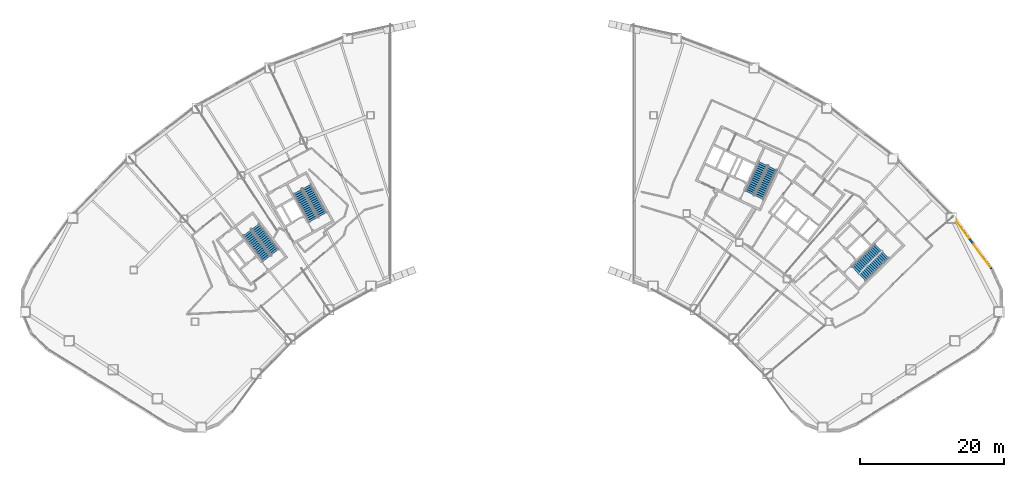
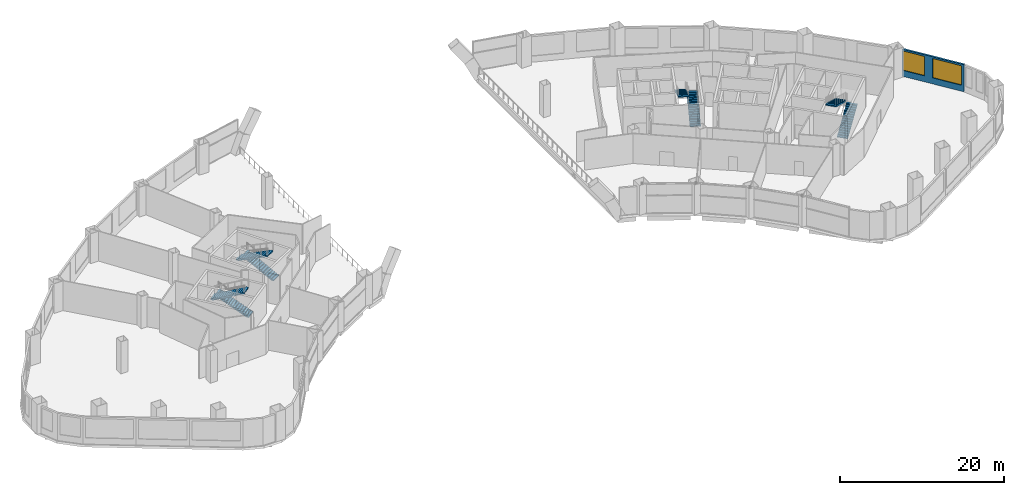
# One storey, part 18 of 20: 8 stair flights, 2 windows, 1 wall, 2 openings, 4 elements without a shape of their own.
"""IFC4 building model written with IfcOpenShell, lengths in metres."""

from ifc_helpers import new_model, si_unit, direction, frame, frame_2d, origin, place, context, subcontext, project, spatial, polyline, rectangle, outline, extrude, material, layer, layer_set, type_object, element, fill, aggregate, save


model = new_model("IFC4")

# Units and contexts
model_context = context("Model", 3, precision=1e-05, world=origin(), true_north=direction((0.0, 1.0)))
body_context = subcontext(model_context, "Body", "Model", "MODEL_VIEW")
ifc_project = project(units=[si_unit("LENGTHUNIT", "METRE"), si_unit("AREAUNIT", "SQUARE_METRE"), si_unit("VOLUMEUNIT", "CUBIC_METRE"), si_unit("PLANEANGLEUNIT", "RADIAN"), si_unit("MASSUNIT", "GRAM", prefix="KILO")], contexts=[model_context])

# Site, building, storey
site_placement = place(None, origin())
site = spatial("IfcSite", under=ifc_project, at=site_placement, CompositionType="ELEMENT")
building_placement = place(site_placement, origin())
building = spatial("IfcBuilding", under=site, at=building_placement, Name="Tuul Gate Civic Tower", CompositionType="ELEMENT")
storey_placement = place(building_placement, frame((0.0, 0.0, 12.300048828125)))
storey = spatial("IfcBuildingStorey", under=building, at=storey_placement, Name="Level 02", CompositionType="ELEMENT", Elevation=12.300048828125)

# Wall, openings, windows
ifc_material_1 = material(Name="Precast concrete C40/50", Category="concrete")
ifc_layer = layer(ifc_material_1, 0.25)
ifc_layer_set = layer_set([ifc_layer], Name="Precast concrete C40/50")
wall_type = type_object("IfcWallType", Name="External wall", PredefinedType="STANDARD", material=ifc_layer_set)
wall_placement = place(storey_placement, frame((66.53515625, -15.40771484375, 0.0), z_axis=(0.0, 0.0, 1.0), x_axis=(-0.589883240256, 0.807488552777, 0.0)))
wall = element("IfcWall", 1, at=wall_placement, inside=storey, type_object=wall_type, Name="External wall", PredefinedType="STANDARD", context=body_context, shape_type="SweptSolid", body=[
    extrude(rectangle(XDim=8.26318359375, YDim=0.25, at=frame_2d((4.131591796875, 0.0))), origin(), (0.0, 0.0, 1.0), 4.050048828125),
])
opening_1_placement = place(wall_placement, frame((0.309326171875, 0.0, 0.89990234375)))
opening_1 = element("IfcOpeningElement", 2, at=opening_1_placement, cuts=wall, Name="Opening W11", PredefinedType="OPENING", context=body_context, shape_type="SweptSolid", body=[
    extrude(rectangle(XDim=3.89990234375, YDim=2.89990234375, at=frame_2d((1.949951171875, 1.449951171875))), frame((0.0, 0.135009765625, 0.0), z_axis=(0.0, -1.0, 0.0), x_axis=(1.0, 0.0, 0.0)), (0.0, 0.0, 1.0), 0.27001953125),
])
opening_2_placement = place(wall_placement, frame((5.277099609375, 0.0, 0.89990234375)))
opening_2 = element("IfcOpeningElement", 3, at=opening_2_placement, cuts=wall, Name="Opening W83", PredefinedType="OPENING", context=body_context, shape_type="SweptSolid", body=[
    extrude(rectangle(XDim=2.89990234375, YDim=2.89990234375, at=frame_2d((1.449951171875, 1.449951171875))), frame((0.0, 0.135009765625, 0.0), z_axis=(0.0, -1.0, 0.0), x_axis=(1.0, 0.0, 0.0)), (0.0, 0.0, 1.0), 0.27001953125),
])
ifc_material_2 = material(Name="Glass", Category="glass")
window_type_1 = type_object("IfcWindowType", Name="Window W11 3900 x 2900", PartitioningType="SINGLE_PANEL", PredefinedType="WINDOW", material=ifc_material_2)
window_1_placement = place(opening_1_placement, origin())
window_1 = element("IfcWindow", 4, at=window_1_placement, inside=storey, type_object=window_type_1, Name="Window", OverallHeight=2.89990234375, OverallWidth=3.89990234375, PartitioningType="SINGLE_PANEL", PredefinedType="WINDOW", context=body_context, shape_type="SweptSolid", body=[
    extrude(rectangle(XDim=3.89990234375, YDim=2.89990234375, at=frame_2d((1.949951171875, 1.449951171875))), frame((0.0, 0.030029296875, 0.0), z_axis=(0.0, -1.0, 0.0), x_axis=(1.0, 0.0, 0.0)), (0.0, 0.0, 1.0), 0.06005859375),
])
fill(opening_1, window_1)
ifc_material_3 = material(Name="Glass", Category="glass")
window_type_2 = type_object("IfcWindowType", Name="Window W83 2900 x 2900", PartitioningType="SINGLE_PANEL", PredefinedType="WINDOW", material=ifc_material_3)
window_2_placement = place(opening_2_placement, origin())
window_2 = element("IfcWindow", 5, at=window_2_placement, inside=storey, type_object=window_type_2, Name="Window", OverallHeight=2.89990234375, OverallWidth=2.89990234375, PartitioningType="SINGLE_PANEL", PredefinedType="WINDOW", context=body_context, shape_type="SweptSolid", body=[
    extrude(rectangle(XDim=2.89990234375, YDim=2.89990234375, at=frame_2d((1.449951171875, 1.449951171875))), frame((0.0, 0.030029296875, 0.0), z_axis=(0.0, -1.0, 0.0), x_axis=(1.0, 0.0, 0.0)), (0.0, 0.0, 1.0), 0.06005859375),
])
fill(opening_2, window_2)

# Stair, stair flights
ifc_material_4 = material(Name="Concrete C40/50", Category="concrete")
stair_type = type_object("IfcStairType", Name="Exit stair", PredefinedType="HALF_TURN_STAIR", material=ifc_material_4)
stair_1_placement = place(storey_placement, origin())
stair_1 = element("IfcStair", 6, at=stair_1_placement, inside=storey, type_object=stair_type, Name="Level 02 ST-1", PredefinedType="HALF_TURN_STAIR")
ifc_material_5 = material(Name="Concrete C40/50", Category="concrete")
stair_flight_type = type_object("IfcStairFlightType", Name="Exit stair flight", PredefinedType="STRAIGHT", material=ifc_material_5)
stair_flight_1_placement = place(storey_placement, frame((-32.875244140625, -13.066650390625, 0.0), z_axis=(0.0, 0.0, 1.0), x_axis=(-0.605764474941, 0.795644016442, 0.0)))
stair_flight_1 = element("IfcStairFlight", 7, at=stair_flight_1_placement, type_object=stair_flight_type, Name="ST-1 flight 1", NumberOfRisers=16, NumberOfTreads=15, PredefinedType="STRAIGHT", RiserHeight=0.15, TreadLength=0.3, context=body_context, shape_type="SweptSolid", body=[
    extrude(outline(polyline([(0.0, 0.0), (0.0, 0.14990234375), (0.300048828125, 0.14990234375), (0.300048828125, 0.300048828125), (0.60009765625, 0.300048828125), (0.60009765625, 0.449951171875), (0.89990234375, 0.449951171875), (0.89990234375, 0.60009765625), (1.199951171875, 0.60009765625), (1.199951171875, 0.75), (1.5, 0.75), (1.5, 0.89990234375), (1.800048828125, 0.89990234375), (1.800048828125, 1.050048828125), (2.10009765625, 1.050048828125), (2.10009765625, 1.199951171875), (2.39990234375, 1.199951171875), (2.39990234375, 1.35009765625), (2.699951171875, 1.35009765625), (2.699951171875, 1.5), (3.0, 1.5), (3.0, 1.64990234375), (3.300048828125, 1.64990234375), (3.300048828125, 1.800048828125), (3.60009765625, 1.800048828125), (3.60009765625, 1.949951171875), (3.89990234375, 1.949951171875), (3.89990234375, 2.10009765625), (4.199951171875, 2.10009765625), (4.199951171875, 2.25), (4.5, 2.25), (4.5, 2.39990234375), (4.5, 2.08251953125), (0.335205078125, 0.0), (0.0, 0.0)])), frame((0.0, 0.675048828125, 0.0), z_axis=(0.0, -1.0, 0.0), x_axis=(1.0, 0.0, 0.0)), (0.0, 0.0, 1.0), 1.35009765625),
])
stair_flight_2_placement = place(storey_placement, frame((-36.7548828125, -10.36474609375, 2.39990234375), z_axis=(0.0, 0.0, 1.0), x_axis=(0.605764474941, -0.795644016442, 0.0)))
stair_flight_2 = element("IfcStairFlight", 8, at=stair_flight_2_placement, type_object=stair_flight_type, Name="ST-1 flight 2", NumberOfRisers=16, NumberOfTreads=15, PredefinedType="STRAIGHT", RiserHeight=0.15, TreadLength=0.3, context=body_context, shape_type="SweptSolid", body=[
    extrude(outline(polyline([(0.0, 0.0), (0.0, 0.14990234375), (0.300048828125, 0.14990234375), (0.300048828125, 0.300048828125), (0.60009765625, 0.300048828125), (0.60009765625, 0.449951171875), (0.89990234375, 0.449951171875), (0.89990234375, 0.60009765625), (1.199951171875, 0.60009765625), (1.199951171875, 0.75), (1.5, 0.75), (1.5, 0.89990234375), (1.800048828125, 0.89990234375), (1.800048828125, 1.050048828125), (2.10009765625, 1.050048828125), (2.10009765625, 1.199951171875), (2.39990234375, 1.199951171875), (2.39990234375, 1.35009765625), (2.699951171875, 1.35009765625), (2.699951171875, 1.5), (3.0, 1.5), (3.0, 1.64990234375), (3.300048828125, 1.64990234375), (3.300048828125, 1.800048828125), (3.60009765625, 1.800048828125), (3.60009765625, 1.949951171875), (3.89990234375, 1.949951171875), (3.89990234375, 2.10009765625), (4.199951171875, 2.10009765625), (4.199951171875, 2.25), (4.5, 2.25), (4.5, 2.39990234375), (4.5, 2.08251953125), (0.335205078125, 0.0), (0.0, 0.0)])), frame((0.0, 0.675048828125, 0.0), z_axis=(0.0, -1.0, 0.0), x_axis=(1.0, 0.0, 0.0)), (0.0, 0.0, 1.0), 1.35009765625),
])
aggregate(stair_1, [stair_flight_1, stair_flight_2])

stair_2_placement = place(storey_placement, origin())
stair_2 = element("IfcStair", 9, at=stair_2_placement, inside=storey, type_object=stair_type, Name="Level 02 ST-2", PredefinedType="HALF_TURN_STAIR")
stair_flight_3_placement = place(storey_placement, frame((-26.29150390625, -7.87646484375, 0.0), z_axis=(0.0, 0.0, 1.0), x_axis=(-0.484761763766, 0.874646232708, 0.0)))
stair_flight_3 = element("IfcStairFlight", 10, at=stair_flight_3_placement, type_object=stair_flight_type, Name="ST-2 flight 1", NumberOfRisers=16, NumberOfTreads=15, PredefinedType="STRAIGHT", RiserHeight=0.15, TreadLength=0.3, context=body_context, shape_type="SweptSolid", body=[
    extrude(outline(polyline([(0.0, 0.0), (0.0, 0.14990234375), (0.300048828125, 0.14990234375), (0.300048828125, 0.300048828125), (0.60009765625, 0.300048828125), (0.60009765625, 0.449951171875), (0.89990234375, 0.449951171875), (0.89990234375, 0.60009765625), (1.199951171875, 0.60009765625), (1.199951171875, 0.75), (1.5, 0.75), (1.5, 0.89990234375), (1.800048828125, 0.89990234375), (1.800048828125, 1.050048828125), (2.10009765625, 1.050048828125), (2.10009765625, 1.199951171875), (2.39990234375, 1.199951171875), (2.39990234375, 1.35009765625), (2.699951171875, 1.35009765625), (2.699951171875, 1.5), (3.0, 1.5), (3.0, 1.64990234375), (3.300048828125, 1.64990234375), (3.300048828125, 1.800048828125), (3.60009765625, 1.800048828125), (3.60009765625, 1.949951171875), (3.89990234375, 1.949951171875), (3.89990234375, 2.10009765625), (4.199951171875, 2.10009765625), (4.199951171875, 2.25), (4.5, 2.25), (4.5, 2.39990234375), (4.5, 2.08251953125), (0.335205078125, 0.0), (0.0, 0.0)])), frame((0.0, 0.675048828125, 0.0), z_axis=(0.0, -1.0, 0.0), x_axis=(1.0, 0.0, 0.0)), (0.0, 0.0, 1.0), 1.35009765625),
])
stair_flight_4_placement = place(storey_placement, frame((-29.7412109375, -4.6435546875, 2.39990234375), z_axis=(0.0, 0.0, 1.0), x_axis=(0.484761763766, -0.874646232708, 0.0)))
stair_flight_4 = element("IfcStairFlight", 11, at=stair_flight_4_placement, type_object=stair_flight_type, Name="ST-2 flight 2", NumberOfRisers=16, NumberOfTreads=15, PredefinedType="STRAIGHT", RiserHeight=0.15, TreadLength=0.3, context=body_context, shape_type="SweptSolid", body=[
    extrude(outline(polyline([(0.0, 0.0), (0.0, 0.14990234375), (0.300048828125, 0.14990234375), (0.300048828125, 0.300048828125), (0.60009765625, 0.300048828125), (0.60009765625, 0.449951171875), (0.89990234375, 0.449951171875), (0.89990234375, 0.60009765625), (1.199951171875, 0.60009765625), (1.199951171875, 0.75), (1.5, 0.75), (1.5, 0.89990234375), (1.800048828125, 0.89990234375), (1.800048828125, 1.050048828125), (2.10009765625, 1.050048828125), (2.10009765625, 1.199951171875), (2.39990234375, 1.199951171875), (2.39990234375, 1.35009765625), (2.699951171875, 1.35009765625), (2.699951171875, 1.5), (3.0, 1.5), (3.0, 1.64990234375), (3.300048828125, 1.64990234375), (3.300048828125, 1.800048828125), (3.60009765625, 1.800048828125), (3.60009765625, 1.949951171875), (3.89990234375, 1.949951171875), (3.89990234375, 2.10009765625), (4.199951171875, 2.10009765625), (4.199951171875, 2.25), (4.5, 2.25), (4.5, 2.39990234375), (4.5, 2.08251953125), (0.335205078125, 0.0), (0.0, 0.0)])), frame((0.0, 0.675048828125, 0.0), z_axis=(0.0, -1.0, 0.0), x_axis=(1.0, 0.0, 0.0)), (0.0, 0.0, 1.0), 1.35009765625),
])
aggregate(stair_2, [stair_flight_3, stair_flight_4])

stair_3_placement = place(storey_placement, origin())
stair_3 = element("IfcStair", 12, at=stair_3_placement, inside=storey, type_object=stair_type, Name="Level 02 ST-3", PredefinedType="HALF_TURN_STAIR")
stair_flight_5_placement = place(storey_placement, frame((48.61376953125, -16.581787109375, 0.0), z_axis=(0.0, 0.0, 1.0), x_axis=(0.714127290059, 0.700015866672, 0.0)))
stair_flight_5 = element("IfcStairFlight", 13, at=stair_flight_5_placement, type_object=stair_flight_type, Name="ST-3 flight 1", NumberOfRisers=16, NumberOfTreads=15, PredefinedType="STRAIGHT", RiserHeight=0.15, TreadLength=0.3, context=body_context, shape_type="SweptSolid", body=[
    extrude(outline(polyline([(0.0, 0.0), (0.0, 0.14990234375), (0.300048828125, 0.14990234375), (0.300048828125, 0.300048828125), (0.60009765625, 0.300048828125), (0.60009765625, 0.449951171875), (0.89990234375, 0.449951171875), (0.89990234375, 0.60009765625), (1.199951171875, 0.60009765625), (1.199951171875, 0.75), (1.5, 0.75), (1.5, 0.89990234375), (1.800048828125, 0.89990234375), (1.800048828125, 1.050048828125), (2.10009765625, 1.050048828125), (2.10009765625, 1.199951171875), (2.39990234375, 1.199951171875), (2.39990234375, 1.35009765625), (2.699951171875, 1.35009765625), (2.699951171875, 1.5), (3.0, 1.5), (3.0, 1.64990234375), (3.300048828125, 1.64990234375), (3.300048828125, 1.800048828125), (3.60009765625, 1.800048828125), (3.60009765625, 1.949951171875), (3.89990234375, 1.949951171875), (3.89990234375, 2.10009765625), (4.199951171875, 2.10009765625), (4.199951171875, 2.25), (4.5, 2.25), (4.5, 2.39990234375), (4.5, 2.08251953125), (0.335205078125, 0.0), (0.0, 0.0)])), frame((0.0, 0.675048828125, 0.0), z_axis=(0.0, -1.0, 0.0), x_axis=(1.0, 0.0, 0.0)), (0.0, 0.0, 1.0), 1.35009765625),
])
stair_flight_6_placement = place(storey_placement, frame((50.812255859375, -12.396240234375, 2.39990234375), z_axis=(0.0, 0.0, 1.0), x_axis=(-0.714127290059, -0.700015866672, 0.0)))
stair_flight_6 = element("IfcStairFlight", 14, at=stair_flight_6_placement, type_object=stair_flight_type, Name="ST-3 flight 2", NumberOfRisers=16, NumberOfTreads=15, PredefinedType="STRAIGHT", RiserHeight=0.15, TreadLength=0.3, context=body_context, shape_type="SweptSolid", body=[
    extrude(outline(polyline([(0.0, 0.0), (0.0, 0.14990234375), (0.300048828125, 0.14990234375), (0.300048828125, 0.300048828125), (0.60009765625, 0.300048828125), (0.60009765625, 0.449951171875), (0.89990234375, 0.449951171875), (0.89990234375, 0.60009765625), (1.199951171875, 0.60009765625), (1.199951171875, 0.75), (1.5, 0.75), (1.5, 0.89990234375), (1.800048828125, 0.89990234375), (1.800048828125, 1.050048828125), (2.10009765625, 1.050048828125), (2.10009765625, 1.199951171875), (2.39990234375, 1.199951171875), (2.39990234375, 1.35009765625), (2.699951171875, 1.35009765625), (2.699951171875, 1.5), (3.0, 1.5), (3.0, 1.64990234375), (3.300048828125, 1.64990234375), (3.300048828125, 1.800048828125), (3.60009765625, 1.800048828125), (3.60009765625, 1.949951171875), (3.89990234375, 1.949951171875), (3.89990234375, 2.10009765625), (4.199951171875, 2.10009765625), (4.199951171875, 2.25), (4.5, 2.25), (4.5, 2.39990234375), (4.5, 2.08251953125), (0.335205078125, 0.0), (0.0, 0.0)])), frame((0.0, 0.675048828125, 0.0), z_axis=(0.0, -1.0, 0.0), x_axis=(1.0, 0.0, 0.0)), (0.0, 0.0, 1.0), 1.35009765625),
])
aggregate(stair_3, [stair_flight_5, stair_flight_6])

stair_4_placement = place(storey_placement, origin())
stair_4 = element("IfcStair", 15, at=stair_4_placement, inside=storey, type_object=stair_type, Name="Level 02 ST-4", PredefinedType="HALF_TURN_STAIR")
stair_flight_7_placement = place(storey_placement, frame((34.278564453125, -5.478515625, 0.0), z_axis=(0.0, 0.0, 1.0), x_axis=(0.422576295988, 0.906327354806, 0.0)))
stair_flight_7 = element("IfcStairFlight", 16, at=stair_flight_7_placement, type_object=stair_flight_type, Name="ST-4 flight 1", NumberOfRisers=16, NumberOfTreads=15, PredefinedType="STRAIGHT", RiserHeight=0.15, TreadLength=0.3, context=body_context, shape_type="SweptSolid", body=[
    extrude(outline(polyline([(0.0, 0.0), (0.0, 0.14990234375), (0.300048828125, 0.14990234375), (0.300048828125, 0.300048828125), (0.60009765625, 0.300048828125), (0.60009765625, 0.449951171875), (0.89990234375, 0.449951171875), (0.89990234375, 0.60009765625), (1.199951171875, 0.60009765625), (1.199951171875, 0.75), (1.5, 0.75), (1.5, 0.89990234375), (1.800048828125, 0.89990234375), (1.800048828125, 1.050048828125), (2.10009765625, 1.050048828125), (2.10009765625, 1.199951171875), (2.39990234375, 1.199951171875), (2.39990234375, 1.35009765625), (2.699951171875, 1.35009765625), (2.699951171875, 1.5), (3.0, 1.5), (3.0, 1.64990234375), (3.300048828125, 1.64990234375), (3.300048828125, 1.800048828125), (3.60009765625, 1.800048828125), (3.60009765625, 1.949951171875), (3.89990234375, 1.949951171875), (3.89990234375, 2.10009765625), (4.199951171875, 2.10009765625), (4.199951171875, 2.25), (4.5, 2.25), (4.5, 2.39990234375), (4.5, 2.08251953125), (0.335205078125, 0.0), (0.0, 0.0)])), frame((0.0, 0.675048828125, 0.0), z_axis=(0.0, -1.0, 0.0), x_axis=(1.0, 0.0, 0.0)), (0.0, 0.0, 1.0), 1.35009765625),
])
stair_flight_8_placement = place(storey_placement, frame((34.865966796875, -0.787353515625, 2.39990234375), z_axis=(0.0, 0.0, 1.0), x_axis=(-0.422576295988, -0.906327354806, 0.0)))
stair_flight_8 = element("IfcStairFlight", 17, at=stair_flight_8_placement, type_object=stair_flight_type, Name="ST-4 flight 2", NumberOfRisers=16, NumberOfTreads=15, PredefinedType="STRAIGHT", RiserHeight=0.15, TreadLength=0.3, context=body_context, shape_type="SweptSolid", body=[
    extrude(outline(polyline([(0.0, 0.0), (0.0, 0.14990234375), (0.300048828125, 0.14990234375), (0.300048828125, 0.300048828125), (0.60009765625, 0.300048828125), (0.60009765625, 0.449951171875), (0.89990234375, 0.449951171875), (0.89990234375, 0.60009765625), (1.199951171875, 0.60009765625), (1.199951171875, 0.75), (1.5, 0.75), (1.5, 0.89990234375), (1.800048828125, 0.89990234375), (1.800048828125, 1.050048828125), (2.10009765625, 1.050048828125), (2.10009765625, 1.199951171875), (2.39990234375, 1.199951171875), (2.39990234375, 1.35009765625), (2.699951171875, 1.35009765625), (2.699951171875, 1.5), (3.0, 1.5), (3.0, 1.64990234375), (3.300048828125, 1.64990234375), (3.300048828125, 1.800048828125), (3.60009765625, 1.800048828125), (3.60009765625, 1.949951171875), (3.89990234375, 1.949951171875), (3.89990234375, 2.10009765625), (4.199951171875, 2.10009765625), (4.199951171875, 2.25), (4.5, 2.25), (4.5, 2.39990234375), (4.5, 2.08251953125), (0.335205078125, 0.0), (0.0, 0.0)])), frame((0.0, 0.675048828125, 0.0), z_axis=(0.0, -1.0, 0.0), x_axis=(1.0, 0.0, 0.0)), (0.0, 0.0, 1.0), 1.35009765625),
])
aggregate(stair_4, [stair_flight_7, stair_flight_8])

save(model, "model.ifc")
